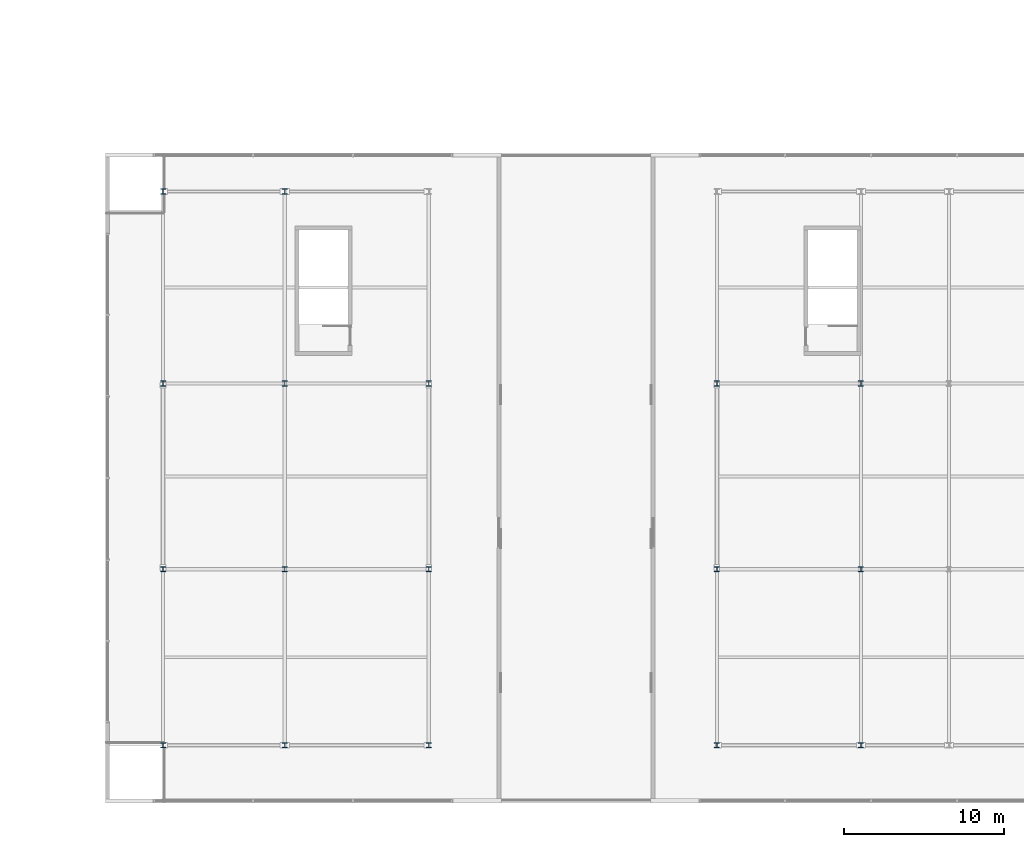
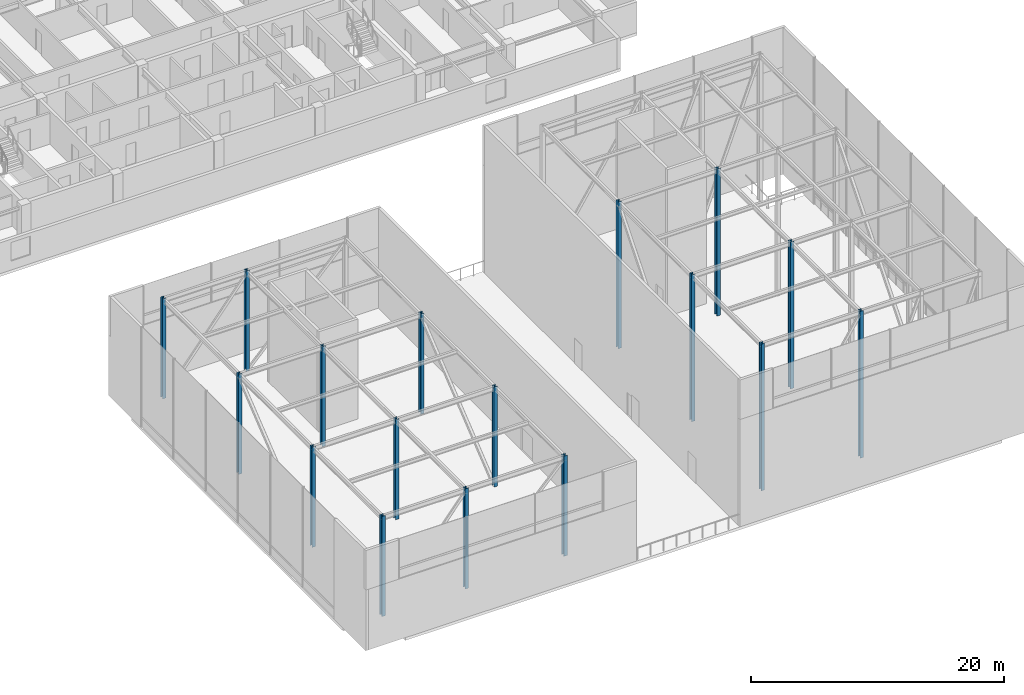
# One storey, part 1 of 42: 17 columns.
"""IFC4 building model written with IfcOpenShell, lengths in metres."""

from ifc_helpers import new_model, si_unit, direction, frame, origin, origin_2d, place, context, subcontext, project, spatial, i_section, extrude, material, material_profile, profile_set, type_object, element, save


model = new_model("IFC4")

# Units and contexts
model_context = context("Model", 3, precision=1e-05, world=origin(), true_north=direction((0.0, 1.0)))
body_context = subcontext(model_context, "Body", "Model", "MODEL_VIEW")
ifc_project = project(units=[si_unit("LENGTHUNIT", "METRE"), si_unit("AREAUNIT", "SQUARE_METRE"), si_unit("VOLUMEUNIT", "CUBIC_METRE"), si_unit("PLANEANGLEUNIT", "RADIAN"), si_unit("MASSUNIT", "GRAM", prefix="KILO")], contexts=[model_context])

# Site, building, storey
site_placement = place(None, origin())
site = spatial("IfcSite", under=ifc_project, at=site_placement, CompositionType="ELEMENT")
building_placement = place(site_placement, origin())
building = spatial("IfcBuilding", under=site, at=building_placement, Name="Korimba Cascade Residences", CompositionType="ELEMENT")
storey_placement = place(building_placement, frame((0.0, 0.0, 207.60009765625)))
storey = spatial("IfcBuildingStorey", under=building, at=storey_placement, Name="L60", CompositionType="ELEMENT", Elevation=207.60009765625)

# Columns
ifc_material = material(Name="Steel S355", Category="steel")
ifc_material_profile = material_profile(ifc_material, i_section(OverallWidth=0.314453125, OverallDepth=0.33984375, WebThickness=0.01904296875, FlangeThickness=0.031494140625, FilletRadius=0.01513671875, at=origin_2d()), Name="Steel S355")
ifc_profile_set = profile_set([ifc_material_profile], Name="Steel S355")
column_type = type_object("IfcColumnType", Name="COL-STL-UC198", PredefinedType="COLUMN", material=ifc_profile_set)
for number, where, z_axis, x_axis, name in (
    (1, (74.5, -4.199951171875, 0.0), (0.0, 0.0, 1.0), (1.0, 0.0, 0.0), "L60 Split-Top Crown Frame Post W1.1"),
    (2, (74.5, 6.800048828125, 0.0), (0.0, 0.0, 1.0), (1.0, 0.0, 0.0), "L60 Split-Top Crown Frame Post W1.2"),
    (3, (74.5, 18.39990234375, 0.0), (0.0, 0.0, 1.0), (1.0, 0.0, 0.0), "L60 Split-Top Crown Frame Post W1.3"),
    (4, (74.5, 30.39990234375, 0.0), (0.0, 0.0, 1.0), (1.0, 0.0, 0.0), "L60 Split-Top Crown Frame Post W1.4"),
    (5, (82.10009765625, -4.199951171875, 0.0), (0.0, 0.0, 1.0), (1.0, 0.0, 0.0), "L60 Split-Top Crown Frame Post W2.1"),
    (6, (82.10009765625, 6.800048828125, 0.0), (0.0, 0.0, 1.0), (1.0, 0.0, 0.0), "L60 Split-Top Crown Frame Post W2.2"),
    (7, (82.10009765625, 18.39990234375, 0.0), (0.0, 0.0, 1.0), (1.0, 0.0, 0.0), "L60 Split-Top Crown Frame Post W2.3"),
    (8, (82.10009765625, 30.39990234375, 0.0), (0.0, 0.0, 1.0), (1.0, 0.0, 0.0), "L60 Split-Top Crown Frame Post W2.4"),
    (9, (91.10009765625, -4.199951171875, 0.0), (0.0, 0.0, 1.0), (1.0, 0.0, 0.0), "L60 Split-Top Crown Frame Post W3.1"),
    (10, (91.10009765625, 6.800048828125, 0.0), (0.0, 0.0, 1.0), (1.0, 0.0, 0.0), "L60 Split-Top Crown Frame Post W3.2"),
    (11, (91.10009765625, 18.39990234375, 0.0), (0.0, 0.0, 1.0), (1.0, 0.0, 0.0), "L60 Split-Top Crown Frame Post W3.3"),
):
    element("IfcColumn", number, at=place(storey_placement, frame(where, z_axis=z_axis, x_axis=x_axis)), inside=storey, type_object=column_type, Name=name, PredefinedType="COLUMN", context=body_context, shape_type="SweptSolid", body=[
        extrude(i_section(OverallWidth=0.314453125, OverallDepth=0.33984375, WebThickness=0.01904296875, FlangeThickness=0.031494140625, FilletRadius=0.01513671875, at=origin_2d()), origin(), (0.0, 0.0, 1.0), 9.64990234375),
    ])
for number, where, z_axis, x_axis, name in (
    (12, (109.10009765625, -4.199951171875, 0.0), (0.0, 0.0, 1.0), (1.0, 0.0, 0.0), "L60 Split-Top Crown Frame Post E1.1"),
    (13, (109.10009765625, 6.800048828125, 0.0), (0.0, 0.0, 1.0), (1.0, 0.0, 0.0), "L60 Split-Top Crown Frame Post E1.2"),
    (14, (109.10009765625, 18.39990234375, 0.0), (0.0, 0.0, 1.0), (1.0, 0.0, 0.0), "L60 Split-Top Crown Frame Post E1.3"),
    (15, (118.10009765625, -4.199951171875, 0.0), (0.0, 0.0, 1.0), (1.0, 0.0, 0.0), "L60 Split-Top Crown Frame Post E2.1"),
    (16, (118.10009765625, 6.800048828125, 0.0), (0.0, 0.0, 1.0), (1.0, 0.0, 0.0), "L60 Split-Top Crown Frame Post E2.2"),
    (17, (118.10009765625, 18.39990234375, 0.0), (0.0, 0.0, 1.0), (1.0, 0.0, 0.0), "L60 Split-Top Crown Frame Post E2.3"),
):
    element("IfcColumn", number, at=place(storey_placement, frame(where, z_axis=z_axis, x_axis=x_axis)), inside=storey, type_object=column_type, Name=name, PredefinedType="COLUMN", context=body_context, shape_type="SweptSolid", body=[
        extrude(i_section(OverallWidth=0.314453125, OverallDepth=0.33984375, WebThickness=0.01904296875, FlangeThickness=0.031494140625, FilletRadius=0.01513671875, at=origin_2d()), origin(), (0.0, 0.0, 1.0), 14.14990234375),
    ])

save(model, "model.ifc")
